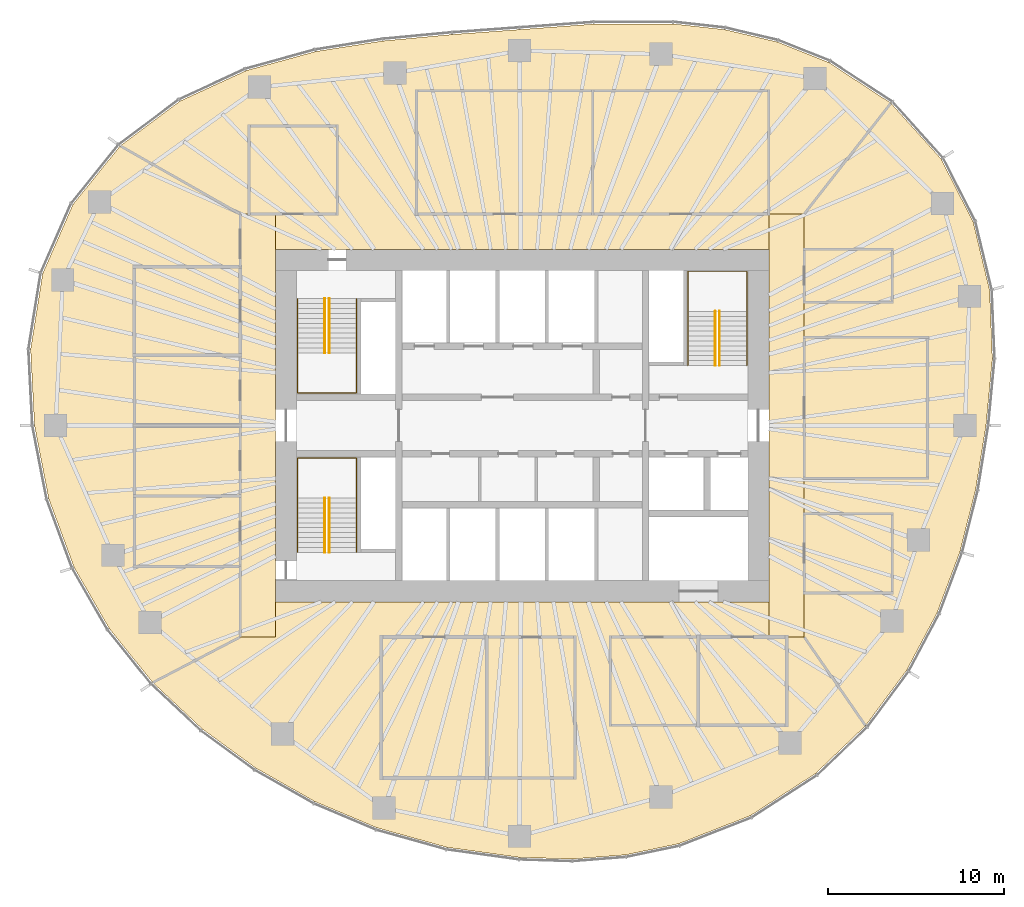
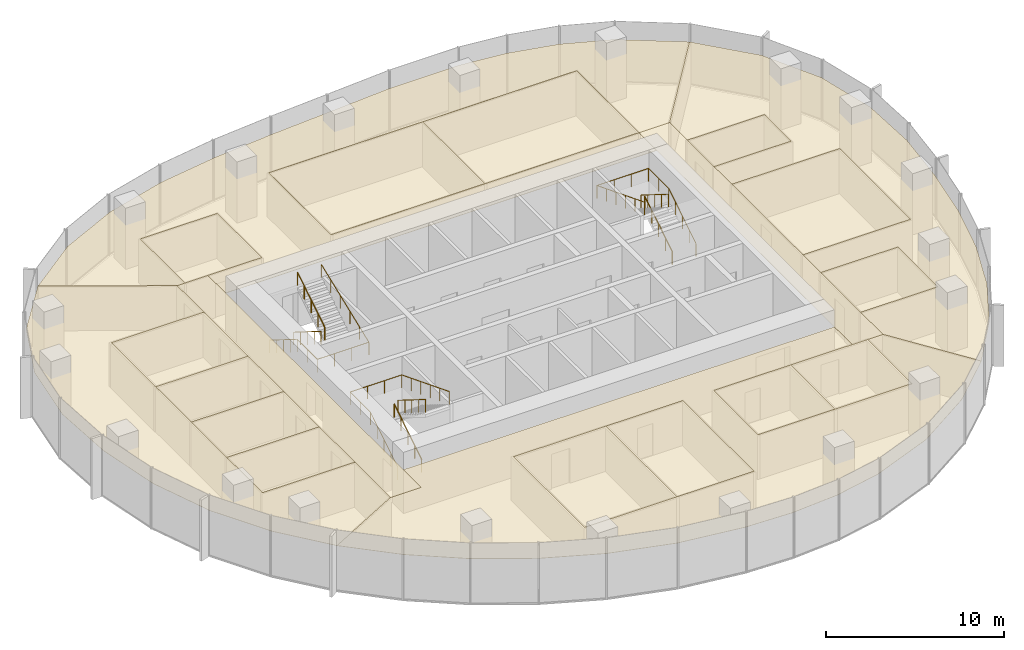
# One storey, part 12 of 12: 20 coverings, 9 railings.
"""IFC4 building model written with IfcOpenShell, lengths in metres."""

from ifc_helpers import new_model, si_unit, direction, frame, origin, origin_2d, place, context, subcontext, project, spatial, polyline, circle, outline, extrude, material, layer, layer_set, type_object, element, save


model = new_model("IFC4")

# Units and contexts
model_context = context("Model", 3, precision=1e-05, world=origin(), true_north=direction((0.0, 1.0)))
body_context = subcontext(model_context, "Body", "Model", "MODEL_VIEW")
ifc_project = project(units=[si_unit("LENGTHUNIT", "METRE"), si_unit("AREAUNIT", "SQUARE_METRE"), si_unit("VOLUMEUNIT", "CUBIC_METRE"), si_unit("PLANEANGLEUNIT", "RADIAN"), si_unit("MASSUNIT", "GRAM", prefix="KILO")], contexts=[model_context])

# Site, building, storey
site_placement = place(None, origin())
site = spatial("IfcSite", under=ifc_project, at=site_placement, CompositionType="ELEMENT")
building_placement = place(site_placement, origin())
building = spatial("IfcBuilding", under=site, at=building_placement, Name="Ghaith Harvest Tower", CompositionType="ELEMENT")
storey_placement = place(building_placement, frame((0.0, 0.0, 228.39990234375)))
storey = spatial("IfcBuildingStorey", under=building, at=storey_placement, Name="L50", CompositionType="ELEMENT", Elevation=228.39990234375)

# Coverings
ifc_material_1 = material(Name="Mineral fibre ceiling tile", Category="gypsum")
ifc_layer = layer(ifc_material_1, 0.02001953125)
ifc_layer_set = layer_set([ifc_layer], Name="CEILING C1")
covering_type = type_object("IfcCoveringType", Name="CEILING C1", PredefinedType="CEILING", material=ifc_layer_set)
covering_1_placement = place(storey_placement, frame((0.0, 0.0, 3.0)))
element("IfcCovering", 1, at=covering_1_placement, inside=storey, type_object=covering_type, Name="Ceiling L50-01", PredefinedType="CEILING", context=body_context, shape_type="SweptSolid", body=[
    extrude(outline(polyline([(-6.0, 12.0), (4.0, 12.0), (4.0, 19.0), (-6.0, 19.0), (-6.0, 12.0)])), origin(), (0.0, 0.0, 1.0), 0.02001953125),
])
covering_2_placement = place(storey_placement, frame((0.0, 0.0, 3.0)))
element("IfcCovering", 2, at=covering_2_placement, inside=storey, type_object=covering_type, Name="Ceiling L50-02", PredefinedType="CEILING", context=body_context, shape_type="SweptSolid", body=[
    extrude(outline(polyline([(4.0, 12.0), (14.0, 12.0), (14.0, 19.0), (4.0, 19.0), (4.0, 12.0)])), origin(), (0.0, 0.0, 1.0), 0.02001953125),
])
covering_3_placement = place(storey_placement, frame((0.0, 0.0, 3.0)))
element("IfcCovering", 3, at=covering_3_placement, inside=storey, type_object=covering_type, Name="Ceiling L50-03", PredefinedType="CEILING", context=body_context, shape_type="SweptSolid", body=[
    extrude(outline(polyline([(-15.5, 12.0), (-10.5, 12.0), (-10.5, 17.0), (-15.5, 17.0), (-15.5, 12.0)])), origin(), (0.0, 0.0, 1.0), 0.02001953125),
])
covering_4_placement = place(storey_placement, frame((0.0, 0.0, 3.0)))
element("IfcCovering", 4, at=covering_4_placement, inside=storey, type_object=covering_type, Name="Ceiling L50-04", PredefinedType="CEILING", context=body_context, shape_type="SweptSolid", body=[
    extrude(outline(polyline([(-8.0, -20.0), (-2.0, -20.0), (-2.0, -12.0), (-8.0, -12.0), (-8.0, -20.0)])), origin(), (0.0, 0.0, 1.0), 0.02001953125),
])
covering_5_placement = place(storey_placement, frame((0.0, 0.0, 3.0)))
element("IfcCovering", 5, at=covering_5_placement, inside=storey, type_object=covering_type, Name="Ceiling L50-05", PredefinedType="CEILING", context=body_context, shape_type="SweptSolid", body=[
    extrude(outline(polyline([(-2.0, -20.0), (3.0, -20.0), (3.0, -12.0), (-2.0, -12.0), (-2.0, -20.0)])), origin(), (0.0, 0.0, 1.0), 0.02001953125),
])
covering_6_placement = place(storey_placement, frame((0.0, 0.0, 3.0)))
element("IfcCovering", 6, at=covering_6_placement, inside=storey, type_object=covering_type, Name="Ceiling L50-06", PredefinedType="CEILING", context=body_context, shape_type="SweptSolid", body=[
    extrude(outline(polyline([(5.0, -17.0), (10.0, -17.0), (10.0, -12.0), (5.0, -12.0), (5.0, -17.0)])), origin(), (0.0, 0.0, 1.0), 0.02001953125),
])
covering_7_placement = place(storey_placement, frame((0.0, 0.0, 3.0)))
element("IfcCovering", 7, at=covering_7_placement, inside=storey, type_object=covering_type, Name="Ceiling L50-07", PredefinedType="CEILING", context=body_context, shape_type="SweptSolid", body=[
    extrude(outline(polyline([(10.0, -17.0), (15.0, -17.0), (15.0, -12.0), (10.0, -12.0), (10.0, -17.0)])), origin(), (0.0, 0.0, 1.0), 0.02001953125),
])
covering_8_placement = place(storey_placement, frame((0.0, 0.0, 3.0)))
element("IfcCovering", 8, at=covering_8_placement, inside=storey, type_object=covering_type, Name="Ceiling L50-08", PredefinedType="CEILING", context=body_context, shape_type="SweptSolid", body=[
    extrude(outline(polyline([(16.0, -3.0), (23.0, -3.0), (23.0, 5.0), (16.0, 5.0), (16.0, -3.0)])), origin(), (0.0, 0.0, 1.0), 0.02001953125),
])
covering_9_placement = place(storey_placement, frame((0.0, 0.0, 3.0)))
element("IfcCovering", 9, at=covering_9_placement, inside=storey, type_object=covering_type, Name="Ceiling L50-09", PredefinedType="CEILING", context=body_context, shape_type="SweptSolid", body=[
    extrude(outline(polyline([(-22.0, -8.0), (-16.0, -8.0), (-16.0, -4.0), (-22.0, -4.0), (-22.0, -8.0)])), origin(), (0.0, 0.0, 1.0), 0.02001953125),
])
covering_10_placement = place(storey_placement, frame((0.0, 0.0, 3.0)))
element("IfcCovering", 10, at=covering_10_placement, inside=storey, type_object=covering_type, Name="Ceiling L50-10", PredefinedType="CEILING", context=body_context, shape_type="SweptSolid", body=[
    extrude(outline(polyline([(-22.0, -4.0), (-16.0, -4.0), (-16.0, 0.0), (-22.0, 0.0), (-22.0, -4.0)])), origin(), (0.0, 0.0, 1.0), 0.02001953125),
])
covering_11_placement = place(storey_placement, frame((0.0, 0.0, 3.0)))
element("IfcCovering", 11, at=covering_11_placement, inside=storey, type_object=covering_type, Name="Ceiling L50-11", PredefinedType="CEILING", context=body_context, shape_type="SweptSolid", body=[
    extrude(outline(polyline([(-22.0, 0.0), (-16.0, 0.0), (-16.0, 4.0), (-22.0, 4.0), (-22.0, 0.0)])), origin(), (0.0, 0.0, 1.0), 0.02001953125),
])
covering_12_placement = place(storey_placement, frame((0.0, 0.0, 3.0)))
element("IfcCovering", 12, at=covering_12_placement, inside=storey, type_object=covering_type, Name="Ceiling L50-12", PredefinedType="CEILING", context=body_context, shape_type="SweptSolid", body=[
    extrude(outline(polyline([(-22.0, 4.0), (-16.0, 4.0), (-16.0, 9.0), (-22.0, 9.0), (-22.0, 4.0)])), origin(), (0.0, 0.0, 1.0), 0.02001953125),
])
covering_13_placement = place(storey_placement, frame((0.0, 0.0, 3.0)))
element("IfcCovering", 13, at=covering_13_placement, inside=storey, type_object=covering_type, Name="Ceiling L50-13", PredefinedType="CEILING", context=body_context, shape_type="SweptSolid", body=[
    extrude(outline(polyline([(16.0, 7.0), (21.0, 7.0), (21.0, 10.0), (16.0, 10.0), (16.0, 7.0)])), origin(), (0.0, 0.0, 1.0), 0.02001953125),
])
covering_14_placement = place(storey_placement, frame((0.0, 0.0, 3.0)))
element("IfcCovering", 14, at=covering_14_placement, inside=storey, type_object=covering_type, Name="Ceiling L50-14", PredefinedType="CEILING", context=body_context, shape_type="SweptSolid", body=[
    extrude(outline(polyline([(16.0, -9.5), (21.0, -9.5), (21.0, -5.0), (16.0, -5.0), (16.0, -9.5)])), origin(), (0.0, 0.0, 1.0), 0.02001953125),
])
covering_15_placement = place(storey_placement, frame((0.0, 0.0, 3.0)))
element("IfcCovering", 15, at=covering_15_placement, inside=storey, type_object=covering_type, Name="Ceiling L50-C1", PredefinedType="CEILING", context=body_context, shape_type="SweptSolid", body=[
    extrude(outline(polyline([(-14.0, 12.0), (-14.0, -12.0), (-16.0, -12.0), (-16.0, 12.0), (-14.0, 12.0)])), origin(), (0.0, 0.0, 1.0), 0.02001953125),
])
covering_16_placement = place(storey_placement, frame((0.0, 0.0, 3.0)))
element("IfcCovering", 16, at=covering_16_placement, inside=storey, type_object=covering_type, Name="Ceiling L50-C2", PredefinedType="CEILING", context=body_context, shape_type="SweptSolid", body=[
    extrude(outline(polyline([(14.0, -12.0), (14.0, 12.0), (16.0, 12.0), (16.0, -12.0), (14.0, -12.0)])), origin(), (0.0, 0.0, 1.0), 0.02001953125),
])
covering_17_placement = place(storey_placement, frame((0.0, 0.0, 3.0)))
element("IfcCovering", 17, at=covering_17_placement, inside=storey, type_object=covering_type, Name="Ceiling L50-N1", PredefinedType="CEILING", context=body_context, shape_type="SweptSolid", body=[
    extrude(outline(polyline([(-15.6474609375, 20.147705078125), (-11.694580078125, 21.2314453125), (-7.8837890625, 21.827880859375), (-3.963134765625, 22.192138671875), (-0.15380859375, 22.470458984375), (4.03857421875, 22.78125), (8.522216796875, 22.796875), (11.47265625, 22.47265625), (14.460693359375, 21.771484375), (17.382080078125, 20.612548828125), (20.923095703125, 18.295166015625), (16.0, 12.0), (14.010009765625, 12.0), (14.010009765625, 19.010009765625), (-6.010009765625, 19.010009765625), (-6.010009765625, 11.989990234375), (14.0, 11.989990234375), (14.0, 10.0), (-14.0, 10.0), (-14.0, 12.0), (-10.5, 12.0), (-10.5, 17.0), (-15.5, 17.0), (-15.5, 12.0), (-16.0, 12.0), (-22.809814453125, 15.87109375), (-19.408203125, 18.41650390625), (-15.6474609375, 20.147705078125)])), origin(), (0.0, 0.0, 1.0), 0.02001953125),
])
covering_18_placement = place(storey_placement, frame((0.0, 0.0, 3.0)))
element("IfcCovering", 18, at=covering_18_placement, inside=storey, type_object=covering_type, Name="Ceiling L50-E1", PredefinedType="CEILING", context=body_context, shape_type="SweptSolid", body=[
    extrude(outline(polyline([(23.77294921875, 15.12939453125), (25.597900390625, 11.55615234375), (26.531005859375, 7.668212890625), (26.685791015625, 3.779052734375), (26.324951171875, 0.0), (25.734375, -3.644287109375), (24.840576171875, -7.179443359375), (23.548828125, -10.631103515625), (21.821533203125, -13.887451171875), (19.48388671875, -17.036865234375), (16.0, -12.0), (16.0, -9.5), (21.0, -9.5), (21.0, -5.0), (16.0, -5.0), (16.0, -3.0), (23.0, -3.0), (23.0, 5.0), (16.0, 5.0), (16.0, 7.0), (21.0, 7.0), (21.0, 10.0), (16.0, 10.0), (16.0, 12.0), (20.923095703125, 18.295166015625), (23.77294921875, 15.12939453125)])), origin(), (0.0, 0.0, 1.0), 0.02001953125),
])
covering_19_placement = place(storey_placement, frame((0.0, 0.0, 3.0)))
element("IfcCovering", 19, at=covering_19_placement, inside=storey, type_object=covering_type, Name="Ceiling L50-S1", PredefinedType="CEILING", context=body_context, shape_type="SweptSolid", body=[
    extrude(outline(polyline([(-20.963134765625, -14.586181640625), (-16.0, -12.0), (-14.0, -12.0), (-14.0, -10.0), (14.0, -10.0), (14.0, -12.0), (5.0, -12.0), (5.0, -17.0), (15.0, -17.0), (15.0, -12.0), (16.0, -12.0), (19.48388671875, -17.036865234375), (16.651611328125, -19.746337890625), (12.949462890625, -22.1435546875), (8.8740234375, -23.73779296875), (5.865234375, -24.3662109375), (2.833984375, -24.602294921875), (-0.167724609375, -24.505126953125), (-4.27490234375, -23.9375), (-8.2451171875, -22.82861328125), (-11.75732421875, -21.345703125), (-15.10400390625, -19.447998046875), (-18.15087890625, -17.223388671875), (-20.963134765625, -14.586181640625)]), holes=[polyline([(3.0, -12.0), (-8.0, -12.0), (-8.0, -20.0), (3.0, -20.0), (3.0, -12.0)])]), origin(), (0.0, 0.0, 1.0), 0.02001953125),
])
covering_20_placement = place(storey_placement, frame((0.0, 0.0, 3.0)))
element("IfcCovering", 20, at=covering_20_placement, inside=storey, type_object=covering_type, Name="Ceiling L50-W1", PredefinedType="CEILING", context=body_context, shape_type="SweptSolid", body=[
    extrude(outline(polyline([(-23.425537109375, -11.530517578125), (-25.424072265625, -8.057373046875), (-26.86669921875, -4.155517578125), (-27.675048828125, 0.0), (-27.897216796875, 4.314697265625), (-27.211181640625, 8.623779296875), (-25.491943359375, 12.547607421875), (-22.809814453125, 15.87109375), (-16.0, 12.0), (-16.0, 9.0), (-22.0, 9.0), (-22.0, -8.0), (-16.0, -8.0), (-16.0, -12.0), (-20.963134765625, -14.586181640625), (-23.425537109375, -11.530517578125)])), origin(), (0.0, 0.0, 1.0), 0.02001953125),
])

# Railings
ifc_material_2 = material(Name="Steel, black powder-coated", Category="steel")
railing_type = type_object("IfcRailingType", Name="HANDRAIL HR1", PredefinedType="HANDRAIL", material=ifc_material_2)
railing_1_placement = place(storey_placement, frame((-11.199951171875, 7.199951171875, 0.175048828125)))
element("IfcRailing", 21, at=railing_1_placement, inside=storey, type_object=railing_type, Name="Handrail HR1 stair ST1 L50 flight 1 inner", PredefinedType="HANDRAIL", context=body_context, shape_type="SweptSolid", body=[
    extrude(circle(Radius=0.02392578125, at=origin_2d()), frame((0.0, 0.0, 0.8759765625), z_axis=(0.0, -0.847979421464, 0.530029150871), x_axis=(1.0, 0.0, 0.0)), (0.0, 0.0, 1.0), 3.632080078125),
    extrude(circle(Radius=0.02099609375, at=origin_2d()), origin(), (0.0, 0.0, 1.0), 0.851806640625),
    extrude(circle(Radius=0.02099609375, at=origin_2d()), frame((0.0, -0.77001953125, 0.481201171875)), (0.0, 0.0, 1.0), 0.851806640625),
    extrude(circle(Radius=0.02099609375, at=origin_2d()), frame((0.0, -1.5400390625, 0.96240234375)), (0.0, 0.0, 1.0), 0.851806640625),
    extrude(circle(Radius=0.02099609375, at=origin_2d()), frame((0.0, -2.309814453125, 1.44384765625)), (0.0, 0.0, 1.0), 0.851806640625),
    extrude(circle(Radius=0.02099609375, at=origin_2d()), frame((0.0, -3.079833984375, 1.925048828125)), (0.0, 0.0, 1.0), 0.851806640625),
])
railing_2_placement = place(storey_placement, frame((-10.949951171875, 4.1201171875, 2.275146484375)))
element("IfcRailing", 22, at=railing_2_placement, inside=storey, type_object=railing_type, Name="Handrail HR1 stair ST1 L50 flight 2 inner", PredefinedType="HANDRAIL", context=body_context, shape_type="SweptSolid", body=[
    extrude(circle(Radius=0.02392578125, at=origin_2d()), frame((0.0, 0.0, 0.8759765625), z_axis=(0.0, 0.847979421464, 0.530029150871), x_axis=(-1.0, 0.0, 0.0)), (0.0, 0.0, 1.0), 3.632080078125),
    extrude(circle(Radius=0.02099609375, at=origin_2d()), origin(), (0.0, 0.0, 1.0), 0.851806640625),
    extrude(circle(Radius=0.02099609375, at=origin_2d()), frame((0.0, 0.77001953125, 0.481201171875)), (0.0, 0.0, 1.0), 0.851806640625),
    extrude(circle(Radius=0.02099609375, at=origin_2d()), frame((0.0, 1.5400390625, 0.96240234375)), (0.0, 0.0, 1.0), 0.851806640625),
    extrude(circle(Radius=0.02099609375, at=origin_2d()), frame((0.0, 2.309814453125, 1.44384765625)), (0.0, 0.0, 1.0), 0.851806640625),
    extrude(circle(Radius=0.02099609375, at=origin_2d()), frame((0.0, 3.079833984375, 1.925048828125)), (0.0, 0.0, 1.0), 0.851806640625),
])
railing_3_placement = place(storey_placement, frame((-12.75, 7.199951171875, 0.175048828125)))
element("IfcRailing", 23, at=railing_3_placement, inside=storey, type_object=railing_type, Name="Handrail HR1 stair ST1 L50 wall side", PredefinedType="HANDRAIL", context=body_context, shape_type="SweptSolid", body=[
    extrude(circle(Radius=0.02392578125, at=origin_2d()), frame((0.0, 0.0, 0.8759765625), z_axis=(0.0, -0.847979421464, 0.530029150871), x_axis=(1.0, 0.0, 0.0)), (0.0, 0.0, 1.0), 3.632080078125),
    extrude(circle(Radius=0.02392578125, at=origin_2d()), frame((0.0, -3.079833984375, 2.80078125), z_axis=(0.0, -1.0, 0.0), x_axis=(1.0, 0.0, 0.0)), (0.0, 0.0, 1.0), 2.27001953125),
    extrude(circle(Radius=0.02392578125, at=origin_2d()), frame((0.0, -5.349853515625, 2.80078125), z_axis=(1.0, 0.0, 0.0), x_axis=(0.0, 1.0, 0.0)), (0.0, 0.0, 1.0), 3.35009765625),
    extrude(circle(Radius=0.02392578125, at=origin_2d()), frame((3.35009765625, -5.349853515625, 2.80078125), z_axis=(0.0, 0.930848013298, 0.36540659017), x_axis=(-1.0, 0.0, 0.0)), (0.0, 0.0, 1.0), 5.747314453125),
    extrude(circle(Radius=0.02099609375, at=origin_2d()), origin(), (0.0, 0.0, 1.0), 0.851806640625),
    extrude(circle(Radius=0.02099609375, at=origin_2d()), frame((0.0, -0.77001953125, 0.481201171875)), (0.0, 0.0, 1.0), 0.851806640625),
    extrude(circle(Radius=0.02099609375, at=origin_2d()), frame((0.0, -1.5400390625, 0.96240234375)), (0.0, 0.0, 1.0), 0.851806640625),
    extrude(circle(Radius=0.02099609375, at=origin_2d()), frame((0.0, -2.309814453125, 1.44384765625)), (0.0, 0.0, 1.0), 0.851806640625),
    extrude(circle(Radius=0.02099609375, at=origin_2d()), frame((0.0, -3.079833984375, 1.925048828125)), (0.0, 0.0, 1.0), 0.851806640625),
    extrude(circle(Radius=0.02099609375, at=origin_2d()), frame((0.0, -4.21484375, 1.925048828125)), (0.0, 0.0, 1.0), 0.851806640625),
    extrude(circle(Radius=0.02099609375, at=origin_2d()), frame((0.0, -5.349853515625, 1.925048828125)), (0.0, 0.0, 1.0), 0.851806640625),
    extrude(circle(Radius=0.02099609375, at=origin_2d()), frame((1.11669921875, -5.349853515625, 1.925048828125)), (0.0, 0.0, 1.0), 0.851806640625),
    extrude(circle(Radius=0.02099609375, at=origin_2d()), frame((2.2333984375, -5.349853515625, 1.925048828125)), (0.0, 0.0, 1.0), 0.851806640625),
    extrude(circle(Radius=0.02099609375, at=origin_2d()), frame((3.35009765625, -5.349853515625, 1.925048828125)), (0.0, 0.0, 1.0), 0.851806640625),
    extrude(circle(Radius=0.02099609375, at=origin_2d()), frame((3.35009765625, -4.27978515625, 2.344970703125)), (0.0, 0.0, 1.0), 0.851806640625),
    extrude(circle(Radius=0.02099609375, at=origin_2d()), frame((3.35009765625, -3.2099609375, 2.76513671875)), (0.0, 0.0, 1.0), 0.851806640625),
    extrude(circle(Radius=0.02099609375, at=origin_2d()), frame((3.35009765625, -2.139892578125, 3.18505859375)), (0.0, 0.0, 1.0), 0.851806640625),
    extrude(circle(Radius=0.02099609375, at=origin_2d()), frame((3.35009765625, -1.070068359375, 3.605224609375)), (0.0, 0.0, 1.0), 0.851806640625),
    extrude(circle(Radius=0.02099609375, at=origin_2d()), frame((3.35009765625, 0.0, 4.025146484375)), (0.0, 0.0, 1.0), 0.851806640625),
])
railing_4_placement = place(storey_placement, frame((-11.199951171875, -7.199951171875, 0.175048828125)))
element("IfcRailing", 24, at=railing_4_placement, inside=storey, type_object=railing_type, Name="Handrail HR1 stair ST3 L50 flight 1 inner", PredefinedType="HANDRAIL", context=body_context, shape_type="SweptSolid", body=[
    extrude(circle(Radius=0.02392578125, at=origin_2d()), frame((0.0, 0.0, 0.8759765625), z_axis=(0.0, 0.847979421464, 0.530029150871), x_axis=(-1.0, 0.0, 0.0)), (0.0, 0.0, 1.0), 3.632080078125),
    extrude(circle(Radius=0.02099609375, at=origin_2d()), origin(), (0.0, 0.0, 1.0), 0.851806640625),
    extrude(circle(Radius=0.02099609375, at=origin_2d()), frame((0.0, 0.77001953125, 0.481201171875)), (0.0, 0.0, 1.0), 0.851806640625),
    extrude(circle(Radius=0.02099609375, at=origin_2d()), frame((0.0, 1.5400390625, 0.96240234375)), (0.0, 0.0, 1.0), 0.851806640625),
    extrude(circle(Radius=0.02099609375, at=origin_2d()), frame((0.0, 2.309814453125, 1.44384765625)), (0.0, 0.0, 1.0), 0.851806640625),
    extrude(circle(Radius=0.02099609375, at=origin_2d()), frame((0.0, 3.079833984375, 1.925048828125)), (0.0, 0.0, 1.0), 0.851806640625),
])
railing_5_placement = place(storey_placement, frame((-10.949951171875, -4.1201171875, 2.275146484375)))
element("IfcRailing", 25, at=railing_5_placement, inside=storey, type_object=railing_type, Name="Handrail HR1 stair ST3 L50 flight 2 inner", PredefinedType="HANDRAIL", context=body_context, shape_type="SweptSolid", body=[
    extrude(circle(Radius=0.02392578125, at=origin_2d()), frame((0.0, 0.0, 0.8759765625), z_axis=(0.0, -0.847979421464, 0.530029150871), x_axis=(1.0, 0.0, 0.0)), (0.0, 0.0, 1.0), 3.632080078125),
    extrude(circle(Radius=0.02099609375, at=origin_2d()), origin(), (0.0, 0.0, 1.0), 0.851806640625),
    extrude(circle(Radius=0.02099609375, at=origin_2d()), frame((0.0, -0.77001953125, 0.481201171875)), (0.0, 0.0, 1.0), 0.851806640625),
    extrude(circle(Radius=0.02099609375, at=origin_2d()), frame((0.0, -1.5400390625, 0.96240234375)), (0.0, 0.0, 1.0), 0.851806640625),
    extrude(circle(Radius=0.02099609375, at=origin_2d()), frame((0.0, -2.309814453125, 1.44384765625)), (0.0, 0.0, 1.0), 0.851806640625),
    extrude(circle(Radius=0.02099609375, at=origin_2d()), frame((0.0, -3.079833984375, 1.925048828125)), (0.0, 0.0, 1.0), 0.851806640625),
])
railing_6_placement = place(storey_placement, frame((-12.75, -7.199951171875, 0.175048828125)))
element("IfcRailing", 26, at=railing_6_placement, inside=storey, type_object=railing_type, Name="Handrail HR1 stair ST3 L50 wall side", PredefinedType="HANDRAIL", context=body_context, shape_type="SweptSolid", body=[
    extrude(circle(Radius=0.02392578125, at=origin_2d()), frame((0.0, 0.0, 0.8759765625), z_axis=(0.0, 0.847979421464, 0.530029150871), x_axis=(-1.0, 0.0, 0.0)), (0.0, 0.0, 1.0), 3.632080078125),
    extrude(circle(Radius=0.02392578125, at=origin_2d()), frame((0.0, 3.079833984375, 2.80078125), z_axis=(0.0, 1.0, 0.0), x_axis=(-1.0, 0.0, 0.0)), (0.0, 0.0, 1.0), 2.27001953125),
    extrude(circle(Radius=0.02392578125, at=origin_2d()), frame((0.0, 5.349853515625, 2.80078125), z_axis=(1.0, 0.0, 0.0), x_axis=(0.0, 1.0, 0.0)), (0.0, 0.0, 1.0), 3.35009765625),
    extrude(circle(Radius=0.02392578125, at=origin_2d()), frame((3.35009765625, 5.349853515625, 2.80078125), z_axis=(0.0, -0.930848013298, 0.36540659017), x_axis=(1.0, 0.0, 0.0)), (0.0, 0.0, 1.0), 5.747314453125),
    extrude(circle(Radius=0.02099609375, at=origin_2d()), origin(), (0.0, 0.0, 1.0), 0.851806640625),
    extrude(circle(Radius=0.02099609375, at=origin_2d()), frame((0.0, 0.77001953125, 0.481201171875)), (0.0, 0.0, 1.0), 0.851806640625),
    extrude(circle(Radius=0.02099609375, at=origin_2d()), frame((0.0, 1.5400390625, 0.96240234375)), (0.0, 0.0, 1.0), 0.851806640625),
    extrude(circle(Radius=0.02099609375, at=origin_2d()), frame((0.0, 2.309814453125, 1.44384765625)), (0.0, 0.0, 1.0), 0.851806640625),
    extrude(circle(Radius=0.02099609375, at=origin_2d()), frame((0.0, 3.079833984375, 1.925048828125)), (0.0, 0.0, 1.0), 0.851806640625),
    extrude(circle(Radius=0.02099609375, at=origin_2d()), frame((0.0, 4.21484375, 1.925048828125)), (0.0, 0.0, 1.0), 0.851806640625),
    extrude(circle(Radius=0.02099609375, at=origin_2d()), frame((0.0, 5.349853515625, 1.925048828125)), (0.0, 0.0, 1.0), 0.851806640625),
    extrude(circle(Radius=0.02099609375, at=origin_2d()), frame((1.11669921875, 5.349853515625, 1.925048828125)), (0.0, 0.0, 1.0), 0.851806640625),
    extrude(circle(Radius=0.02099609375, at=origin_2d()), frame((2.2333984375, 5.349853515625, 1.925048828125)), (0.0, 0.0, 1.0), 0.851806640625),
    extrude(circle(Radius=0.02099609375, at=origin_2d()), frame((3.35009765625, 5.349853515625, 1.925048828125)), (0.0, 0.0, 1.0), 0.851806640625),
    extrude(circle(Radius=0.02099609375, at=origin_2d()), frame((3.35009765625, 4.27978515625, 2.344970703125)), (0.0, 0.0, 1.0), 0.851806640625),
    extrude(circle(Radius=0.02099609375, at=origin_2d()), frame((3.35009765625, 3.2099609375, 2.76513671875)), (0.0, 0.0, 1.0), 0.851806640625),
    extrude(circle(Radius=0.02099609375, at=origin_2d()), frame((3.35009765625, 2.139892578125, 3.18505859375)), (0.0, 0.0, 1.0), 0.851806640625),
    extrude(circle(Radius=0.02099609375, at=origin_2d()), frame((3.35009765625, 1.070068359375, 3.605224609375)), (0.0, 0.0, 1.0), 0.851806640625),
    extrude(circle(Radius=0.02099609375, at=origin_2d()), frame((3.35009765625, 0.0, 4.025146484375)), (0.0, 0.0, 1.0), 0.851806640625),
])
railing_7_placement = place(storey_placement, frame((11.199951171875, 3.39990234375, 0.175048828125)))
element("IfcRailing", 27, at=railing_7_placement, inside=storey, type_object=railing_type, Name="Handrail HR1 stair ST2 L50 flight 1 inner", PredefinedType="HANDRAIL", context=body_context, shape_type="SweptSolid", body=[
    extrude(circle(Radius=0.02392578125, at=origin_2d()), frame((0.0, 0.0, 0.8759765625), z_axis=(0.0, 0.847998304005, 0.529998940003), x_axis=(-1.0, 0.0, 0.0)), (0.0, 0.0, 1.0), 3.632080078125),
    extrude(circle(Radius=0.02099609375, at=origin_2d()), origin(), (0.0, 0.0, 1.0), 0.851806640625),
    extrude(circle(Radius=0.02099609375, at=origin_2d()), frame((0.0, 0.77001953125, 0.481201171875)), (0.0, 0.0, 1.0), 0.851806640625),
    extrude(circle(Radius=0.02099609375, at=origin_2d()), frame((0.0, 1.5400390625, 0.96240234375)), (0.0, 0.0, 1.0), 0.851806640625),
    extrude(circle(Radius=0.02099609375, at=origin_2d()), frame((0.0, 2.31005859375, 1.44384765625)), (0.0, 0.0, 1.0), 0.851806640625),
    extrude(circle(Radius=0.02099609375, at=origin_2d()), frame((0.0, 3.080078125, 1.925048828125)), (0.0, 0.0, 1.0), 0.851806640625),
])
railing_8_placement = place(storey_placement, frame((10.949951171875, 6.47998046875, 2.275146484375)))
element("IfcRailing", 28, at=railing_8_placement, inside=storey, type_object=railing_type, Name="Handrail HR1 stair ST2 L50 flight 2 inner", PredefinedType="HANDRAIL", context=body_context, shape_type="SweptSolid", body=[
    extrude(circle(Radius=0.02392578125, at=origin_2d()), frame((0.0, 0.0, 0.8759765625), z_axis=(0.0, -0.847998304005, 0.529998940003), x_axis=(1.0, 0.0, 0.0)), (0.0, 0.0, 1.0), 3.632080078125),
    extrude(circle(Radius=0.02099609375, at=origin_2d()), origin(), (0.0, 0.0, 1.0), 0.851806640625),
    extrude(circle(Radius=0.02099609375, at=origin_2d()), frame((0.0, -0.77001953125, 0.481201171875)), (0.0, 0.0, 1.0), 0.851806640625),
    extrude(circle(Radius=0.02099609375, at=origin_2d()), frame((0.0, -1.5400390625, 0.96240234375)), (0.0, 0.0, 1.0), 0.851806640625),
    extrude(circle(Radius=0.02099609375, at=origin_2d()), frame((0.0, -2.31005859375, 1.44384765625)), (0.0, 0.0, 1.0), 0.851806640625),
    extrude(circle(Radius=0.02099609375, at=origin_2d()), frame((0.0, -3.080078125, 1.925048828125)), (0.0, 0.0, 1.0), 0.851806640625),
])
railing_9_placement = place(storey_placement, frame((12.75, 3.39990234375, 0.175048828125)))
element("IfcRailing", 29, at=railing_9_placement, inside=storey, type_object=railing_type, Name="Handrail HR1 stair ST2 L50 wall side", PredefinedType="HANDRAIL", context=body_context, shape_type="SweptSolid", body=[
    extrude(circle(Radius=0.02392578125, at=origin_2d()), frame((0.0, 0.0, 0.8759765625), z_axis=(0.0, 0.847998304005, 0.529998940003), x_axis=(-1.0, 0.0, 0.0)), (0.0, 0.0, 1.0), 3.632080078125),
    extrude(circle(Radius=0.02392578125, at=origin_2d()), frame((0.0, 3.080078125, 2.80078125), z_axis=(0.0, 1.0, 0.0), x_axis=(-1.0, 0.0, 0.0)), (0.0, 0.0, 1.0), 2.27001953125),
    extrude(circle(Radius=0.02392578125, at=origin_2d()), frame((0.0, 5.35009765625, 2.80078125), z_axis=(-1.0, 0.0, 0.0), x_axis=(0.0, -1.0, 0.0)), (0.0, 0.0, 1.0), 3.35009765625),
    extrude(circle(Radius=0.02392578125, at=origin_2d()), frame((-3.35009765625, 5.35009765625, 2.80078125), z_axis=(0.0, -0.930853684876, 0.365392141887), x_axis=(1.0, 0.0, 0.0)), (0.0, 0.0, 1.0), 5.74755859375),
    extrude(circle(Radius=0.02099609375, at=origin_2d()), origin(), (0.0, 0.0, 1.0), 0.851806640625),
    extrude(circle(Radius=0.02099609375, at=origin_2d()), frame((0.0, 0.77001953125, 0.481201171875)), (0.0, 0.0, 1.0), 0.851806640625),
    extrude(circle(Radius=0.02099609375, at=origin_2d()), frame((0.0, 1.5400390625, 0.96240234375)), (0.0, 0.0, 1.0), 0.851806640625),
    extrude(circle(Radius=0.02099609375, at=origin_2d()), frame((0.0, 2.31005859375, 1.44384765625)), (0.0, 0.0, 1.0), 0.851806640625),
    extrude(circle(Radius=0.02099609375, at=origin_2d()), frame((0.0, 3.080078125, 1.925048828125)), (0.0, 0.0, 1.0), 0.851806640625),
    extrude(circle(Radius=0.02099609375, at=origin_2d()), frame((0.0, 4.215087890625, 1.925048828125)), (0.0, 0.0, 1.0), 0.851806640625),
    extrude(circle(Radius=0.02099609375, at=origin_2d()), frame((0.0, 5.35009765625, 1.925048828125)), (0.0, 0.0, 1.0), 0.851806640625),
    extrude(circle(Radius=0.02099609375, at=origin_2d()), frame((-1.11669921875, 5.35009765625, 1.925048828125)), (0.0, 0.0, 1.0), 0.851806640625),
    extrude(circle(Radius=0.02099609375, at=origin_2d()), frame((-2.2333984375, 5.35009765625, 1.925048828125)), (0.0, 0.0, 1.0), 0.851806640625),
    extrude(circle(Radius=0.02099609375, at=origin_2d()), frame((-3.35009765625, 5.35009765625, 1.925048828125)), (0.0, 0.0, 1.0), 0.851806640625),
    extrude(circle(Radius=0.02099609375, at=origin_2d()), frame((-3.35009765625, 4.280029296875, 2.344970703125)), (0.0, 0.0, 1.0), 0.851806640625),
    extrude(circle(Radius=0.02099609375, at=origin_2d()), frame((-3.35009765625, 3.2099609375, 2.76513671875)), (0.0, 0.0, 1.0), 0.851806640625),
    extrude(circle(Radius=0.02099609375, at=origin_2d()), frame((-3.35009765625, 2.14013671875, 3.18505859375)), (0.0, 0.0, 1.0), 0.851806640625),
    extrude(circle(Radius=0.02099609375, at=origin_2d()), frame((-3.35009765625, 1.070068359375, 3.605224609375)), (0.0, 0.0, 1.0), 0.851806640625),
    extrude(circle(Radius=0.02099609375, at=origin_2d()), frame((-3.35009765625, 0.0, 4.025146484375)), (0.0, 0.0, 1.0), 0.851806640625),
])

save(model, "model.ifc")
